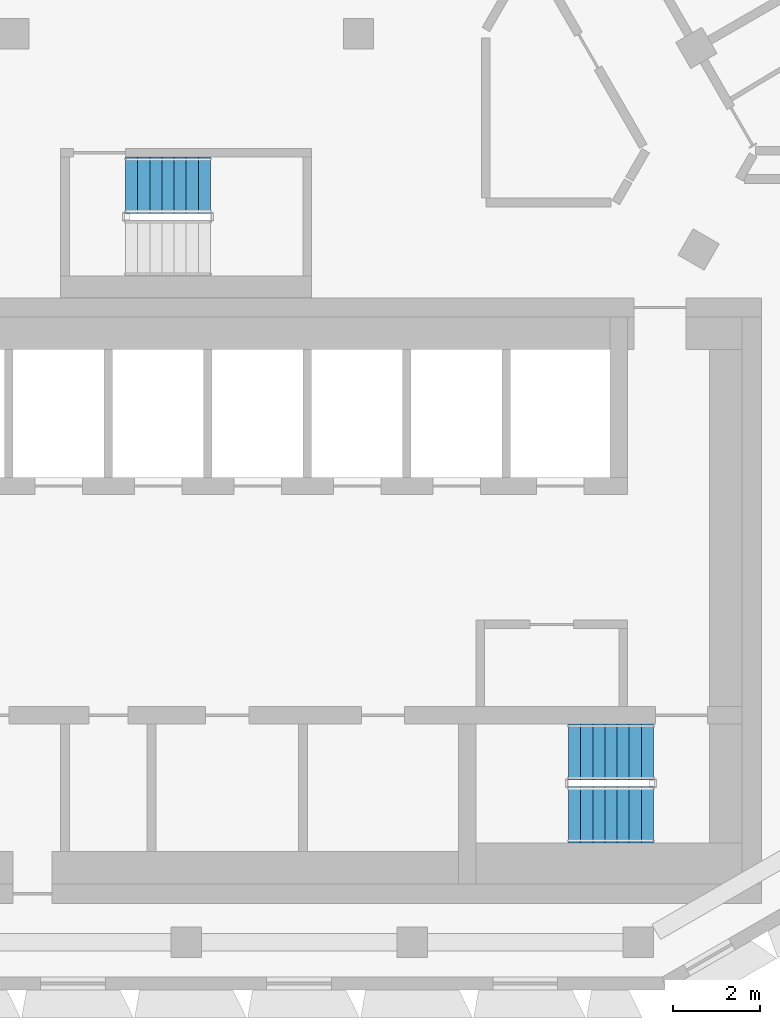
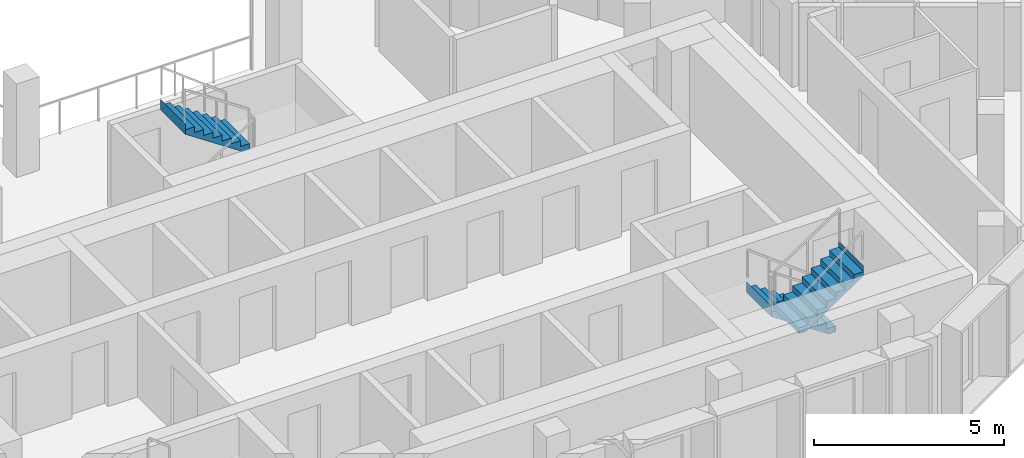
# One storey, part 10 of 15: 3 stair flights, 2 elements without a shape of their own.
"""IFC4 building model written with IfcOpenShell, lengths in metres."""

import ifcopenshell
import ifcopenshell.guid

model = None  # the IFC model being written
_history = None  # IfcOwnerHistory: only IFC2X3 demands one
_inside = {}  # id of a spatial element -> (the spatial element, [elements in it])
_under = {}  # id of a project, library or spatial element -> (it, [spatial elements below it])
_declared = {}  # id of a project -> (the project, [libraries it declares])
_typed = {}  # id of a type object -> (the type object, [elements of that type])
_made_of = {}  # id of a material, layer set ... -> (it, [elements and type objects made of it])


def new_model(schema):
    """Start an empty IFC model of exactly this schema.

    Asked for "IFC4X3", IfcOpenShell would pick the latest addendum, in which some entities
    have other attributes; the version numbers below select the first issue.
    IFC2X3 requires an IfcOwnerHistory on every rooted entity: one is made here for all.
    """
    global model, _history
    if schema == "IFC4X3":
        model = ifcopenshell.file(schema_version=(4, 3, 0, 0))
    else:
        model = ifcopenshell.file(schema=schema)
    _inside.clear()
    _under.clear()
    _declared.clear()
    _typed.clear()
    _made_of.clear()
    _history = None
    if model.schema == "IFC2X3":
        org = make("IfcOrganization", Name="unknown")
        user = make(
            "IfcPersonAndOrganization",
            ThePerson=make("IfcPerson", FamilyName="unknown"),
            TheOrganization=org,
        )
        app = make(
            "IfcApplication",
            ApplicationDeveloper=org,
            Version="unknown",
            ApplicationFullName="unknown",
            ApplicationIdentifier="unknown",
        )
        _history = make(
            "IfcOwnerHistory",
            OwningUser=user,
            OwningApplication=app,
            ChangeAction="ADDED",
            CreationDate=0,
        )
    return model


def make(cls, **values):
    """One entity of the class cls with the attributes given. An attribute that is None is left unset."""
    return model.create_entity(
        cls, **{name: value for name, value in values.items() if value is not None}
    )


def rooted(cls, **values):
    """An entity with a GlobalId (a new one), such as an element, a storey or a relation."""
    return make(cls, GlobalId=ifcopenshell.guid.new(), OwnerHistory=_history, **values)


def si_unit(unit_type, name, prefix=None):
    """IfcSIUnit, for example si_unit("LENGTHUNIT", "METRE", prefix="MILLI")."""
    return make("IfcSIUnit", UnitType=unit_type, Prefix=prefix, Name=name)


def assignment(units):
    """IfcUnitAssignment: the units of a project."""
    return None if units is None else make("IfcUnitAssignment", Units=units)


def point(xyz):
    """IfcCartesianPoint."""
    return None if xyz is None else make("IfcCartesianPoint", Coordinates=xyz)


def direction(xyz):
    """IfcDirection."""
    return None if xyz is None else make("IfcDirection", DirectionRatios=xyz)


def frame(location, z_axis=None, x_axis=None):
    """IfcAxis2Placement3D, a coordinate frame: its origin and axes. An axis left out is left unset."""
    return make(
        "IfcAxis2Placement3D",
        Location=point(location),
        Axis=direction(z_axis),
        RefDirection=direction(x_axis),
    )


def origin():
    """The frame at (0, 0, 0) with its axes left unset."""
    return frame((0.0, 0.0, 0.0))


def place(relative_to, where):
    """IfcLocalPlacement: puts the frame where relative to a parent placement (None: the world)."""
    return make(
        "IfcLocalPlacement", PlacementRelTo=relative_to, RelativePlacement=where
    )


def context(
    kind, dimensions, precision=None, world=None, true_north=None, identifier=None
):
    """IfcGeometricRepresentationContext, for example the 3D "Model" context."""
    return make(
        "IfcGeometricRepresentationContext",
        ContextIdentifier=identifier,
        ContextType=kind,
        CoordinateSpaceDimension=dimensions,
        Precision=precision,
        WorldCoordinateSystem=world,
        TrueNorth=true_north,
    )


def subcontext(parent, identifier, kind, view, scale=None):
    """IfcGeometricRepresentationSubContext, for example "Body" below "Model"."""
    return make(
        "IfcGeometricRepresentationSubContext",
        ContextIdentifier=identifier,
        ContextType=kind,
        ParentContext=parent,
        TargetScale=scale,
        TargetView=view,
    )


def project(units=None, contexts=None):
    """IfcProject with its units and contexts."""
    return rooted(
        "IfcProject",
        Name="project",
        RepresentationContexts=contexts,
        UnitsInContext=assignment(units),
    )


def spatial(cls, under=None, at=None, **own):
    """A site, building, storey or space (cls), placed at a placement, below another one or the project."""
    s = rooted(cls, ObjectPlacement=at, **own)
    if under is not None:
        _under.setdefault(under.id(), (under, []))[1].append(s)
    return s


def point_list(points):
    """IfcCartesianPointList2D or 3D."""
    cls = (
        "IfcCartesianPointList2D" if len(points[0]) == 2 else "IfcCartesianPointList3D"
    )
    return make(cls, CoordList=points)


def triangles(points, corners, closed=None, point_numbers=None):
    """IfcTriangulatedFaceSet: each triangle names its three corners, points numbered from 1."""
    return make(
        "IfcTriangulatedFaceSet",
        Coordinates=point_list(points),
        Closed=closed,
        CoordIndex=corners,
        PnIndex=point_numbers,
    )


def shape(context_of_items, identifier, shape_type, items):
    """IfcShapeRepresentation: the items that make up one representation, for example the "Body"."""
    return make(
        "IfcShapeRepresentation",
        ContextOfItems=context_of_items,
        RepresentationIdentifier=identifier,
        RepresentationType=shape_type,
        Items=items,
    )


def material(Name=None, Category=None):
    """IfcMaterial."""
    return make("IfcMaterial", Name=Name, Category=Category)


def made_of(thing, what):
    """Note that an element or type object is made of a material, layer set ...; save() writes the relation."""
    if what is not None:
        _made_of.setdefault(what.id(), (what, []))[1].append(thing)
    return thing


def type_object(cls, material=None, **own):
    """A type object (cls), such as IfcWallType, which elements share."""
    return made_of(rooted(cls, **own), material)


def element(
    cls,
    number,
    at=None,
    inside=None,
    cuts=None,
    type_object=None,
    material=None,
    context=None,
    identifier="Body",
    shape_type=None,
    held_by="IfcProductDefinitionShape",
    body=None,
    shapes=None,
    **own,
):
    """One element of the class cls, such as IfcWall. Its Tag is "e" and its number.

    at: its placement. inside: the storey or other place that contains it. cuts: it is an
    opening in that element (IfcRelVoidsElement). A single representation is given by context,
    identifier, shape_type and body (its items); several are given by shapes. held_by: the class
    of the entity that holds the representations. save() writes the other relations.
    """
    e = rooted(cls, Tag="e%d" % number, ObjectPlacement=at, **own)
    if body is not None:
        shapes = [shape(context, identifier, shape_type, body)]
    if shapes is not None:
        e.Representation = make(held_by, Representations=shapes)
    if inside is not None:
        _inside.setdefault(inside.id(), (inside, []))[1].append(e)
    if cuts is not None:
        rooted(
            "IfcRelVoidsElement", RelatingBuildingElement=cuts, RelatedOpeningElement=e
        )
    if type_object is not None:
        _typed.setdefault(type_object.id(), (type_object, []))[1].append(e)
    return made_of(e, material)


def aggregate(whole, parts):
    """IfcRelAggregates: a whole, such as a stair, and the parts it consists of."""
    return rooted("IfcRelAggregates", RelatingObject=whole, RelatedObjects=parts)


def save(model, path):
    """Write the relations noted so far, then the file.

    IfcRelAggregates (storeys below a building ...), IfcRelContainedInSpatialStructure (elements
    in a storey), IfcRelDefinesByType, IfcRelAssociatesMaterial and IfcRelDeclares: one each for
    every whole, place, type object, material and project.
    """
    for whole, parts in _under.values():
        aggregate(whole, parts)
    for where, things in _inside.values():
        rooted(
            "IfcRelContainedInSpatialStructure",
            RelatedElements=things,
            RelatingStructure=where,
        )
    for kind, things in _typed.values():
        rooted("IfcRelDefinesByType", RelatedObjects=things, RelatingType=kind)
    for what, things in _made_of.values():
        rooted("IfcRelAssociatesMaterial", RelatedObjects=things, RelatingMaterial=what)
    for by, libraries in _declared.values():
        rooted("IfcRelDeclares", RelatingContext=by, RelatedDefinitions=libraries)
    model.write(path)


model = new_model("IFC4")

# Units and contexts
model_context = context("Model", 3, precision=1e-05, world=origin(), true_north=direction((0.0, 1.0)))
body_context = subcontext(model_context, "Body", "Model", "MODEL_VIEW")
ifc_project = project(units=[si_unit("LENGTHUNIT", "METRE"), si_unit("AREAUNIT", "SQUARE_METRE"), si_unit("VOLUMEUNIT", "CUBIC_METRE"), si_unit("PLANEANGLEUNIT", "RADIAN"), si_unit("MASSUNIT", "GRAM", prefix="KILO")], contexts=[model_context])

# Site, building, storey
site_placement = place(None, origin())
site = spatial("IfcSite", under=ifc_project, at=site_placement, CompositionType="ELEMENT")
building_placement = place(site_placement, origin())
building = spatial("IfcBuilding", under=site, at=building_placement, Name="Beryl Residences", CompositionType="ELEMENT")
storey_placement = place(building_placement, frame((0.0, 0.0, 217.800048828125)))
storey = spatial("IfcBuildingStorey", under=building, at=storey_placement, Name="L67", CompositionType="ELEMENT", Elevation=217.800048828125)

# Stair, stair flights
ifc_material_1 = material(Name="Concrete C40/50", Category="concrete")
stair_type = type_object("IfcStairType", Name="ST1 protected exit stair, half-turn, 1300 mm flights", PredefinedType="HALF_TURN_STAIR", material=ifc_material_1)
stair_1_placement = place(storey_placement, origin())
stair_1 = element("IfcStair", 1, at=stair_1_placement, inside=storey, type_object=stair_type, Name="L67 PROTECTED EXIT STAIR ST-3", PredefinedType="HALF_TURN_STAIR")
ifc_material_2 = material(Name="Concrete C40/50", Category="concrete")
stair_flight_type = type_object("IfcStairFlightType", Name="SF1 stair flight 1300 mm", PredefinedType="STRAIGHT", material=ifc_material_2)
stair_flight_1_placement = place(storey_placement, frame((10.800048828125, -15.5, 0.0), z_axis=(0.0, 0.0, 1.0), x_axis=(-1.0, 0.0, 0.0)))
stair_flight_1 = element("IfcStairFlight", 2, at=stair_flight_1_placement, type_object=stair_flight_type, Name="ST-3 flight 1", NumberOfRisers=8, NumberOfTreads=7, PredefinedType="STRAIGHT", RiserHeight=0.1875, TreadLength=0.28, context=body_context, shape_type="Tessellation", body=[
    triangles([(0.0, -0.64990234375, 0.0), (0.0, -0.324951171875, 0.0), (0.0, 0.0, 0.0), (0.0, 0.324951171875, 0.0), (0.0, 0.64990234375, 0.0), (0.0, -0.64990234375, 0.1875), (0.0, -0.324951171875, 0.1875), (0.0, 0.0, 0.1875), (0.0, 0.324951171875, 0.1875), (0.0, 0.64990234375, 0.1875), (0.280029296875, -0.64990234375, 0.1875), (0.280029296875, -0.324951171875, 0.1875), (0.280029296875, 0.0, 0.1875), (0.280029296875, 0.324951171875, 0.1875), (0.280029296875, 0.64990234375, 0.1875), (0.280029296875, -0.64990234375, 0.375), (0.280029296875, -0.324951171875, 0.375), (0.280029296875, 0.0, 0.375), (0.280029296875, 0.324951171875, 0.375), (0.280029296875, 0.64990234375, 0.375), (0.56005859375, -0.64990234375, 0.375), (0.56005859375, -0.324951171875, 0.375), (0.56005859375, 0.0, 0.375), (0.56005859375, 0.324951171875, 0.375), (0.56005859375, 0.64990234375, 0.375), (0.56005859375, -0.64990234375, 0.5625), (0.56005859375, -0.324951171875, 0.5625), (0.56005859375, 0.0, 0.5625), (0.56005859375, 0.324951171875, 0.5625), (0.56005859375, 0.64990234375, 0.5625), (0.840087890625, -0.64990234375, 0.5625), (0.840087890625, -0.324951171875, 0.5625), (0.840087890625, 0.0, 0.5625), (0.840087890625, 0.324951171875, 0.5625), (0.840087890625, 0.64990234375, 0.5625), (0.840087890625, -0.64990234375, 0.75), (0.840087890625, -0.324951171875, 0.75), (0.840087890625, 0.0, 0.75), (0.840087890625, 0.324951171875, 0.75), (0.840087890625, 0.64990234375, 0.75), (1.1201171875, -0.64990234375, 0.75), (1.1201171875, -0.324951171875, 0.75), (1.1201171875, 0.0, 0.75), (1.1201171875, 0.324951171875, 0.75), (1.1201171875, 0.64990234375, 0.75), (1.1201171875, -0.64990234375, 0.9375), (1.1201171875, -0.324951171875, 0.9375), (1.1201171875, 0.0, 0.9375), (1.1201171875, 0.324951171875, 0.9375), (1.1201171875, 0.64990234375, 0.9375), (1.39990234375, -0.64990234375, 0.9375), (1.39990234375, -0.324951171875, 0.9375), (1.39990234375, 0.0, 0.9375), (1.39990234375, 0.324951171875, 0.9375), (1.39990234375, 0.64990234375, 0.9375), (1.39990234375, -0.64990234375, 1.125), (1.39990234375, -0.324951171875, 1.125), (1.39990234375, 0.0, 1.125), (1.39990234375, 0.324951171875, 1.125), (1.39990234375, 0.64990234375, 1.125), (1.679931640625, -0.64990234375, 1.125), (1.679931640625, -0.324951171875, 1.125), (1.679931640625, 0.0, 1.125), (1.679931640625, 0.324951171875, 1.125), (1.679931640625, 0.64990234375, 1.125), (1.679931640625, -0.64990234375, 1.3125), (1.679931640625, -0.324951171875, 1.3125), (1.679931640625, 0.0, 1.3125), (1.679931640625, 0.324951171875, 1.3125), (1.679931640625, 0.64990234375, 1.3125), (1.9599609375, -0.64990234375, 1.3125), (1.9599609375, -0.324951171875, 1.3125), (1.9599609375, 0.0, 1.3125), (1.9599609375, 0.324951171875, 1.3125), (1.9599609375, 0.64990234375, 1.3125), (1.9599609375, -0.64990234375, 1.5), (1.9599609375, -0.324951171875, 1.5), (1.9599609375, 0.0, 1.5), (1.9599609375, 0.324951171875, 1.5), (1.9599609375, 0.64990234375, 1.5), (1.9609375, -0.64990234375, 1.5), (1.9609375, -0.324951171875, 1.5), (1.9609375, 0.0, 1.5), (1.9609375, 0.324951171875, 1.5), (1.9609375, 0.64990234375, 1.5), (1.9609375, -0.64990234375, 1.16796875), (1.9609375, -0.324951171875, 1.16796875), (1.9609375, 0.0, 1.16796875), (1.9609375, 0.324951171875, 1.16796875), (1.9609375, 0.64990234375, 1.16796875), (0.216796875, -0.64990234375, 0.0), (0.216796875, -0.324951171875, 0.0), (0.216796875, 0.0, 0.0), (0.216796875, 0.324951171875, 0.0), (0.216796875, 0.64990234375, 0.0)], [[1, 6, 7], [1, 7, 2], [2, 7, 8], [2, 8, 3], [3, 8, 9], [3, 9, 4], [4, 9, 10], [4, 10, 5], [6, 11, 12], [6, 12, 7], [7, 12, 13], [7, 13, 8], [8, 13, 14], [8, 14, 9], [9, 14, 15], [9, 15, 10], [11, 16, 17], [11, 17, 12], [12, 17, 18], [12, 18, 13], [13, 18, 19], [13, 19, 14], [14, 19, 20], [14, 20, 15], [16, 21, 22], [16, 22, 17], [17, 22, 23], [17, 23, 18], [18, 23, 24], [18, 24, 19], [19, 24, 25], [19, 25, 20], [21, 26, 27], [21, 27, 22], [22, 27, 28], [22, 28, 23], [23, 28, 29], [23, 29, 24], [24, 29, 30], [24, 30, 25], [26, 31, 32], [26, 32, 27], [27, 32, 33], [27, 33, 28], [28, 33, 34], [28, 34, 29], [29, 34, 35], [29, 35, 30], [31, 36, 37], [31, 37, 32], [32, 37, 38], [32, 38, 33], [33, 38, 39], [33, 39, 34], [34, 39, 40], [34, 40, 35], [36, 41, 42], [36, 42, 37], [37, 42, 43], [37, 43, 38], [38, 43, 44], [38, 44, 39], [39, 44, 45], [39, 45, 40], [41, 46, 47], [41, 47, 42], [42, 47, 48], [42, 48, 43], [43, 48, 49], [43, 49, 44], [44, 49, 50], [44, 50, 45], [46, 51, 52], [46, 52, 47], [47, 52, 53], [47, 53, 48], [48, 53, 54], [48, 54, 49], [49, 54, 55], [49, 55, 50], [51, 56, 57], [51, 57, 52], [52, 57, 58], [52, 58, 53], [53, 58, 59], [53, 59, 54], [54, 59, 60], [54, 60, 55], [56, 61, 62], [56, 62, 57], [57, 62, 63], [57, 63, 58], [58, 63, 64], [58, 64, 59], [59, 64, 65], [59, 65, 60], [61, 66, 67], [61, 67, 62], [62, 67, 68], [62, 68, 63], [63, 68, 69], [63, 69, 64], [64, 69, 70], [64, 70, 65], [66, 71, 72], [66, 72, 67], [67, 72, 73], [67, 73, 68], [68, 73, 74], [68, 74, 69], [69, 74, 75], [69, 75, 70], [71, 76, 77], [71, 77, 72], [72, 77, 78], [72, 78, 73], [73, 78, 79], [73, 79, 74], [74, 79, 80], [74, 80, 75], [76, 81, 82], [76, 82, 77], [77, 82, 83], [77, 83, 78], [78, 83, 84], [78, 84, 79], [79, 84, 85], [79, 85, 80], [81, 86, 87], [81, 87, 82], [82, 87, 88], [82, 88, 83], [83, 88, 89], [83, 89, 84], [84, 89, 90], [84, 90, 85], [86, 91, 92], [86, 92, 87], [87, 92, 93], [87, 93, 88], [88, 93, 94], [88, 94, 89], [89, 94, 95], [89, 95, 90], [91, 1, 2], [91, 2, 92], [92, 2, 3], [92, 3, 93], [93, 3, 4], [93, 4, 94], [94, 4, 5], [94, 5, 95], [1, 91, 86], [5, 90, 95], [86, 81, 76], [90, 80, 85], [86, 76, 71], [90, 75, 80], [86, 71, 66], [90, 70, 75], [86, 66, 61], [90, 65, 70], [61, 56, 51], [65, 55, 60], [86, 61, 51], [90, 55, 65], [51, 46, 41], [55, 45, 50], [86, 51, 41], [90, 45, 55], [41, 36, 31], [45, 35, 40], [86, 41, 31], [90, 35, 45], [31, 26, 21], [35, 25, 30], [86, 31, 21], [90, 25, 35], [21, 16, 11], [25, 15, 20], [86, 21, 11], [90, 15, 25], [1, 86, 11], [5, 15, 90], [11, 6, 1], [15, 5, 10]], closed=True),
])
stair_flight_2_placement = place(storey_placement, frame((8.840087890625, -16.949951171875, 1.5), z_axis=(0.0, 0.0, 1.0), x_axis=(1.0, 0.0, 0.0)))
stair_flight_2 = element("IfcStairFlight", 3, at=stair_flight_2_placement, type_object=stair_flight_type, Name="ST-3 flight 2", NumberOfRisers=8, NumberOfTreads=7, PredefinedType="STRAIGHT", RiserHeight=0.1875, TreadLength=0.28, context=body_context, shape_type="Tessellation", body=[
    triangles([(0.0, -0.64990234375, 0.0), (0.0, -0.324951171875, 0.0), (0.0, 0.0, 0.0), (0.0, 0.324951171875, 0.0), (0.0, 0.64990234375, 0.0), (0.0, -0.64990234375, 0.1875), (0.0, -0.324951171875, 0.1875), (0.0, 0.0, 0.1875), (0.0, 0.324951171875, 0.1875), (0.0, 0.64990234375, 0.1875), (0.280029296875, -0.64990234375, 0.1875), (0.280029296875, -0.324951171875, 0.1875), (0.280029296875, 0.0, 0.1875), (0.280029296875, 0.324951171875, 0.1875), (0.280029296875, 0.64990234375, 0.1875), (0.280029296875, -0.64990234375, 0.375), (0.280029296875, -0.324951171875, 0.375), (0.280029296875, 0.0, 0.375), (0.280029296875, 0.324951171875, 0.375), (0.280029296875, 0.64990234375, 0.375), (0.56005859375, -0.64990234375, 0.375), (0.56005859375, -0.324951171875, 0.375), (0.56005859375, 0.0, 0.375), (0.56005859375, 0.324951171875, 0.375), (0.56005859375, 0.64990234375, 0.375), (0.56005859375, -0.64990234375, 0.5625), (0.56005859375, -0.324951171875, 0.5625), (0.56005859375, 0.0, 0.5625), (0.56005859375, 0.324951171875, 0.5625), (0.56005859375, 0.64990234375, 0.5625), (0.840087890625, -0.64990234375, 0.5625), (0.840087890625, -0.324951171875, 0.5625), (0.840087890625, 0.0, 0.5625), (0.840087890625, 0.324951171875, 0.5625), (0.840087890625, 0.64990234375, 0.5625), (0.840087890625, -0.64990234375, 0.75), (0.840087890625, -0.324951171875, 0.75), (0.840087890625, 0.0, 0.75), (0.840087890625, 0.324951171875, 0.75), (0.840087890625, 0.64990234375, 0.75), (1.1201171875, -0.64990234375, 0.75), (1.1201171875, -0.324951171875, 0.75), (1.1201171875, 0.0, 0.75), (1.1201171875, 0.324951171875, 0.75), (1.1201171875, 0.64990234375, 0.75), (1.1201171875, -0.64990234375, 0.9375), (1.1201171875, -0.324951171875, 0.9375), (1.1201171875, 0.0, 0.9375), (1.1201171875, 0.324951171875, 0.9375), (1.1201171875, 0.64990234375, 0.9375), (1.39990234375, -0.64990234375, 0.9375), (1.39990234375, -0.324951171875, 0.9375), (1.39990234375, 0.0, 0.9375), (1.39990234375, 0.324951171875, 0.9375), (1.39990234375, 0.64990234375, 0.9375), (1.39990234375, -0.64990234375, 1.125), (1.39990234375, -0.324951171875, 1.125), (1.39990234375, 0.0, 1.125), (1.39990234375, 0.324951171875, 1.125), (1.39990234375, 0.64990234375, 1.125), (1.679931640625, -0.64990234375, 1.125), (1.679931640625, -0.324951171875, 1.125), (1.679931640625, 0.0, 1.125), (1.679931640625, 0.324951171875, 1.125), (1.679931640625, 0.64990234375, 1.125), (1.679931640625, -0.64990234375, 1.3125), (1.679931640625, -0.324951171875, 1.3125), (1.679931640625, 0.0, 1.3125), (1.679931640625, 0.324951171875, 1.3125), (1.679931640625, 0.64990234375, 1.3125), (1.9599609375, -0.64990234375, 1.3125), (1.9599609375, -0.324951171875, 1.3125), (1.9599609375, 0.0, 1.3125), (1.9599609375, 0.324951171875, 1.3125), (1.9599609375, 0.64990234375, 1.3125), (1.9599609375, -0.64990234375, 1.5), (1.9599609375, -0.324951171875, 1.5), (1.9599609375, 0.0, 1.5), (1.9599609375, 0.324951171875, 1.5), (1.9599609375, 0.64990234375, 1.5), (1.9609375, -0.64990234375, 1.5), (1.9609375, -0.324951171875, 1.5), (1.9609375, 0.0, 1.5), (1.9609375, 0.324951171875, 1.5), (1.9609375, 0.64990234375, 1.5), (1.9609375, -0.64990234375, 1.16796875), (1.9609375, -0.324951171875, 1.16796875), (1.9609375, 0.0, 1.16796875), (1.9609375, 0.324951171875, 1.16796875), (1.9609375, 0.64990234375, 1.16796875), (0.216796875, -0.64990234375, 0.0), (0.216796875, -0.324951171875, 0.0), (0.216796875, 0.0, 0.0), (0.216796875, 0.324951171875, 0.0), (0.216796875, 0.64990234375, 0.0)], [[1, 6, 7], [1, 7, 2], [2, 7, 8], [2, 8, 3], [3, 8, 9], [3, 9, 4], [4, 9, 10], [4, 10, 5], [6, 11, 12], [6, 12, 7], [7, 12, 13], [7, 13, 8], [8, 13, 14], [8, 14, 9], [9, 14, 15], [9, 15, 10], [11, 16, 17], [11, 17, 12], [12, 17, 18], [12, 18, 13], [13, 18, 19], [13, 19, 14], [14, 19, 20], [14, 20, 15], [16, 21, 22], [16, 22, 17], [17, 22, 23], [17, 23, 18], [18, 23, 24], [18, 24, 19], [19, 24, 25], [19, 25, 20], [21, 26, 27], [21, 27, 22], [22, 27, 28], [22, 28, 23], [23, 28, 29], [23, 29, 24], [24, 29, 30], [24, 30, 25], [26, 31, 32], [26, 32, 27], [27, 32, 33], [27, 33, 28], [28, 33, 34], [28, 34, 29], [29, 34, 35], [29, 35, 30], [31, 36, 37], [31, 37, 32], [32, 37, 38], [32, 38, 33], [33, 38, 39], [33, 39, 34], [34, 39, 40], [34, 40, 35], [36, 41, 42], [36, 42, 37], [37, 42, 43], [37, 43, 38], [38, 43, 44], [38, 44, 39], [39, 44, 45], [39, 45, 40], [41, 46, 47], [41, 47, 42], [42, 47, 48], [42, 48, 43], [43, 48, 49], [43, 49, 44], [44, 49, 50], [44, 50, 45], [46, 51, 52], [46, 52, 47], [47, 52, 53], [47, 53, 48], [48, 53, 54], [48, 54, 49], [49, 54, 55], [49, 55, 50], [51, 56, 57], [51, 57, 52], [52, 57, 58], [52, 58, 53], [53, 58, 59], [53, 59, 54], [54, 59, 60], [54, 60, 55], [56, 61, 62], [56, 62, 57], [57, 62, 63], [57, 63, 58], [58, 63, 64], [58, 64, 59], [59, 64, 65], [59, 65, 60], [61, 66, 67], [61, 67, 62], [62, 67, 68], [62, 68, 63], [63, 68, 69], [63, 69, 64], [64, 69, 70], [64, 70, 65], [66, 71, 72], [66, 72, 67], [67, 72, 73], [67, 73, 68], [68, 73, 74], [68, 74, 69], [69, 74, 75], [69, 75, 70], [71, 76, 77], [71, 77, 72], [72, 77, 78], [72, 78, 73], [73, 78, 79], [73, 79, 74], [74, 79, 80], [74, 80, 75], [76, 81, 82], [76, 82, 77], [77, 82, 83], [77, 83, 78], [78, 83, 84], [78, 84, 79], [79, 84, 85], [79, 85, 80], [81, 86, 87], [81, 87, 82], [82, 87, 88], [82, 88, 83], [83, 88, 89], [83, 89, 84], [84, 89, 90], [84, 90, 85], [86, 91, 92], [86, 92, 87], [87, 92, 93], [87, 93, 88], [88, 93, 94], [88, 94, 89], [89, 94, 95], [89, 95, 90], [91, 1, 2], [91, 2, 92], [92, 2, 3], [92, 3, 93], [93, 3, 4], [93, 4, 94], [94, 4, 5], [94, 5, 95], [1, 91, 86], [5, 90, 95], [86, 81, 76], [90, 80, 85], [86, 76, 71], [90, 75, 80], [86, 71, 66], [90, 70, 75], [86, 66, 61], [90, 65, 70], [61, 56, 51], [65, 55, 60], [86, 61, 51], [90, 55, 65], [51, 46, 41], [55, 45, 50], [86, 51, 41], [90, 45, 55], [41, 36, 31], [45, 35, 40], [86, 41, 31], [90, 35, 45], [31, 26, 21], [35, 25, 30], [86, 31, 21], [90, 25, 35], [21, 16, 11], [25, 15, 20], [86, 21, 11], [90, 15, 25], [1, 86, 11], [5, 15, 90], [11, 6, 1], [15, 5, 10]], closed=True),
])
aggregate(stair_1, [stair_flight_1, stair_flight_2])

# Stair, stair flight
stair_2_placement = place(storey_placement, origin())
stair_2 = element("IfcStair", 4, at=stair_2_placement, inside=storey, type_object=stair_type, Name="L67 PROTECTED EXIT STAIR ST-4", PredefinedType="HALF_TURN_STAIR")
stair_flight_3_placement = place(storey_placement, frame((0.56005859375, -2.39990234375, 1.5), z_axis=(0.0, 0.0, 1.0), x_axis=(-1.0, 0.0, 0.0)))
stair_flight_3 = element("IfcStairFlight", 5, at=stair_flight_3_placement, type_object=stair_flight_type, Name="ST-4 flight 2", NumberOfRisers=8, NumberOfTreads=7, PredefinedType="STRAIGHT", RiserHeight=0.1875, TreadLength=0.28, context=body_context, shape_type="Tessellation", body=[
    triangles([(0.0, -0.64990234375, 0.0), (0.0, -0.324951171875, 0.0), (0.0, 0.0, 0.0), (0.0, 0.324951171875, 0.0), (0.0, 0.64990234375, 0.0), (0.0, -0.64990234375, 0.1875), (0.0, -0.324951171875, 0.1875), (0.0, 0.0, 0.1875), (0.0, 0.324951171875, 0.1875), (0.0, 0.64990234375, 0.1875), (0.280029296875, -0.64990234375, 0.1875), (0.280029296875, -0.324951171875, 0.1875), (0.280029296875, 0.0, 0.1875), (0.280029296875, 0.324951171875, 0.1875), (0.280029296875, 0.64990234375, 0.1875), (0.280029296875, -0.64990234375, 0.375), (0.280029296875, -0.324951171875, 0.375), (0.280029296875, 0.0, 0.375), (0.280029296875, 0.324951171875, 0.375), (0.280029296875, 0.64990234375, 0.375), (0.56005859375, -0.64990234375, 0.375), (0.56005859375, -0.324951171875, 0.375), (0.56005859375, 0.0, 0.375), (0.56005859375, 0.324951171875, 0.375), (0.56005859375, 0.64990234375, 0.375), (0.56005859375, -0.64990234375, 0.5625), (0.56005859375, -0.324951171875, 0.5625), (0.56005859375, 0.0, 0.5625), (0.56005859375, 0.324951171875, 0.5625), (0.56005859375, 0.64990234375, 0.5625), (0.840087890625, -0.64990234375, 0.5625), (0.840087890625, -0.324951171875, 0.5625), (0.840087890625, 0.0, 0.5625), (0.840087890625, 0.324951171875, 0.5625), (0.840087890625, 0.64990234375, 0.5625), (0.840087890625, -0.64990234375, 0.75), (0.840087890625, -0.324951171875, 0.75), (0.840087890625, 0.0, 0.75), (0.840087890625, 0.324951171875, 0.75), (0.840087890625, 0.64990234375, 0.75), (1.1201171875, -0.64990234375, 0.75), (1.1201171875, -0.324951171875, 0.75), (1.1201171875, 0.0, 0.75), (1.1201171875, 0.324951171875, 0.75), (1.1201171875, 0.64990234375, 0.75), (1.1201171875, -0.64990234375, 0.9375), (1.1201171875, -0.324951171875, 0.9375), (1.1201171875, 0.0, 0.9375), (1.1201171875, 0.324951171875, 0.9375), (1.1201171875, 0.64990234375, 0.9375), (1.39990234375, -0.64990234375, 0.9375), (1.39990234375, -0.324951171875, 0.9375), (1.39990234375, 0.0, 0.9375), (1.39990234375, 0.324951171875, 0.9375), (1.39990234375, 0.64990234375, 0.9375), (1.39990234375, -0.64990234375, 1.125), (1.39990234375, -0.324951171875, 1.125), (1.39990234375, 0.0, 1.125), (1.39990234375, 0.324951171875, 1.125), (1.39990234375, 0.64990234375, 1.125), (1.679931640625, -0.64990234375, 1.125), (1.679931640625, -0.324951171875, 1.125), (1.679931640625, 0.0, 1.125), (1.679931640625, 0.324951171875, 1.125), (1.679931640625, 0.64990234375, 1.125), (1.679931640625, -0.64990234375, 1.3125), (1.679931640625, -0.324951171875, 1.3125), (1.679931640625, 0.0, 1.3125), (1.679931640625, 0.324951171875, 1.3125), (1.679931640625, 0.64990234375, 1.3125), (1.9599609375, -0.64990234375, 1.3125), (1.9599609375, -0.324951171875, 1.3125), (1.9599609375, 0.0, 1.3125), (1.9599609375, 0.324951171875, 1.3125), (1.9599609375, 0.64990234375, 1.3125), (1.9599609375, -0.64990234375, 1.5), (1.9599609375, -0.324951171875, 1.5), (1.9599609375, 0.0, 1.5), (1.9599609375, 0.324951171875, 1.5), (1.9599609375, 0.64990234375, 1.5), (1.9609375, -0.64990234375, 1.5), (1.9609375, -0.324951171875, 1.5), (1.9609375, 0.0, 1.5), (1.9609375, 0.324951171875, 1.5), (1.9609375, 0.64990234375, 1.5), (1.9609375, -0.64990234375, 1.16796875), (1.9609375, -0.324951171875, 1.16796875), (1.9609375, 0.0, 1.16796875), (1.9609375, 0.324951171875, 1.16796875), (1.9609375, 0.64990234375, 1.16796875), (0.216796875, -0.64990234375, 0.0), (0.216796875, -0.324951171875, 0.0), (0.216796875, 0.0, 0.0), (0.216796875, 0.324951171875, 0.0), (0.216796875, 0.64990234375, 0.0)], [[1, 6, 7], [1, 7, 2], [2, 7, 8], [2, 8, 3], [3, 8, 9], [3, 9, 4], [4, 9, 10], [4, 10, 5], [6, 11, 12], [6, 12, 7], [7, 12, 13], [7, 13, 8], [8, 13, 14], [8, 14, 9], [9, 14, 15], [9, 15, 10], [11, 16, 17], [11, 17, 12], [12, 17, 18], [12, 18, 13], [13, 18, 19], [13, 19, 14], [14, 19, 20], [14, 20, 15], [16, 21, 22], [16, 22, 17], [17, 22, 23], [17, 23, 18], [18, 23, 24], [18, 24, 19], [19, 24, 25], [19, 25, 20], [21, 26, 27], [21, 27, 22], [22, 27, 28], [22, 28, 23], [23, 28, 29], [23, 29, 24], [24, 29, 30], [24, 30, 25], [26, 31, 32], [26, 32, 27], [27, 32, 33], [27, 33, 28], [28, 33, 34], [28, 34, 29], [29, 34, 35], [29, 35, 30], [31, 36, 37], [31, 37, 32], [32, 37, 38], [32, 38, 33], [33, 38, 39], [33, 39, 34], [34, 39, 40], [34, 40, 35], [36, 41, 42], [36, 42, 37], [37, 42, 43], [37, 43, 38], [38, 43, 44], [38, 44, 39], [39, 44, 45], [39, 45, 40], [41, 46, 47], [41, 47, 42], [42, 47, 48], [42, 48, 43], [43, 48, 49], [43, 49, 44], [44, 49, 50], [44, 50, 45], [46, 51, 52], [46, 52, 47], [47, 52, 53], [47, 53, 48], [48, 53, 54], [48, 54, 49], [49, 54, 55], [49, 55, 50], [51, 56, 57], [51, 57, 52], [52, 57, 58], [52, 58, 53], [53, 58, 59], [53, 59, 54], [54, 59, 60], [54, 60, 55], [56, 61, 62], [56, 62, 57], [57, 62, 63], [57, 63, 58], [58, 63, 64], [58, 64, 59], [59, 64, 65], [59, 65, 60], [61, 66, 67], [61, 67, 62], [62, 67, 68], [62, 68, 63], [63, 68, 69], [63, 69, 64], [64, 69, 70], [64, 70, 65], [66, 71, 72], [66, 72, 67], [67, 72, 73], [67, 73, 68], [68, 73, 74], [68, 74, 69], [69, 74, 75], [69, 75, 70], [71, 76, 77], [71, 77, 72], [72, 77, 78], [72, 78, 73], [73, 78, 79], [73, 79, 74], [74, 79, 80], [74, 80, 75], [76, 81, 82], [76, 82, 77], [77, 82, 83], [77, 83, 78], [78, 83, 84], [78, 84, 79], [79, 84, 85], [79, 85, 80], [81, 86, 87], [81, 87, 82], [82, 87, 88], [82, 88, 83], [83, 88, 89], [83, 89, 84], [84, 89, 90], [84, 90, 85], [86, 91, 92], [86, 92, 87], [87, 92, 93], [87, 93, 88], [88, 93, 94], [88, 94, 89], [89, 94, 95], [89, 95, 90], [91, 1, 2], [91, 2, 92], [92, 2, 3], [92, 3, 93], [93, 3, 4], [93, 4, 94], [94, 4, 5], [94, 5, 95], [1, 91, 86], [5, 90, 95], [86, 81, 76], [90, 80, 85], [86, 76, 71], [90, 75, 80], [86, 71, 66], [90, 70, 75], [86, 66, 61], [90, 65, 70], [61, 56, 51], [65, 55, 60], [86, 61, 51], [90, 55, 65], [51, 46, 41], [55, 45, 50], [86, 51, 41], [90, 45, 55], [41, 36, 31], [45, 35, 40], [86, 41, 31], [90, 35, 45], [31, 26, 21], [35, 25, 30], [86, 31, 21], [90, 25, 35], [21, 16, 11], [25, 15, 20], [86, 21, 11], [90, 15, 25], [1, 86, 11], [5, 15, 90], [11, 6, 1], [15, 5, 10]], closed=True),
])
aggregate(stair_2, [stair_flight_3])

save(model, "model.ifc")
